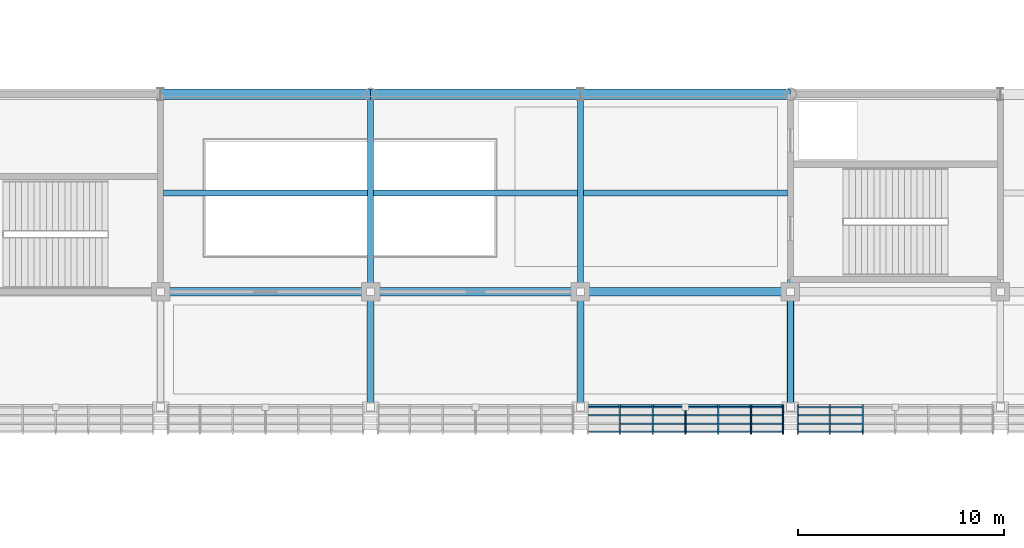
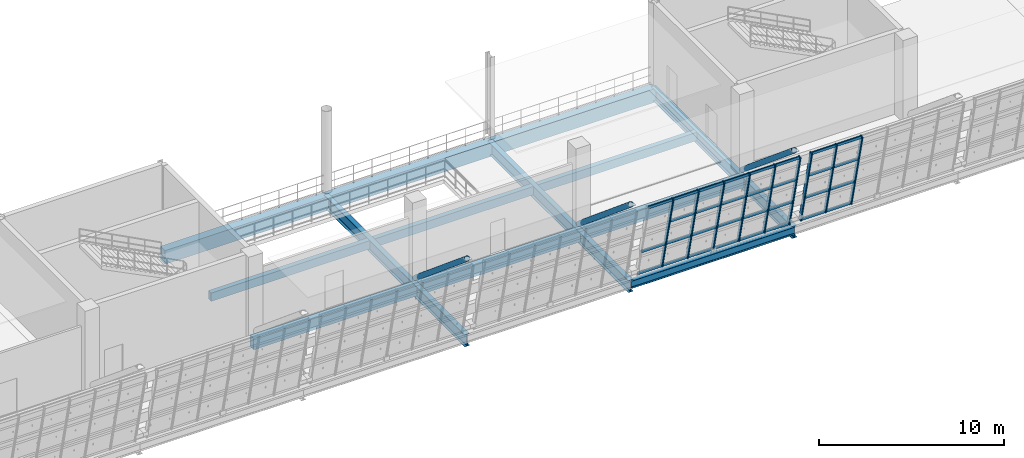
# One storey, part 31 of 175: 43 members, 13 beams, 2 elements without a shape of their own.
"""IFC4 building model written with IfcOpenShell, lengths in metres."""

from ifc_helpers import new_model, si_unit, direction, frame, origin, origin_2d, place, context, subcontext, project, spatial, rectangle, hollow_rectangle, hollow_circle, i_section, extrude, material, material_profile, profile_set, type_object, element, aggregate, save


model = new_model("IFC4")

# Units and contexts
model_context = context("Model", 3, precision=1e-05, world=origin(), true_north=direction((0.0, 1.0)))
body_context = subcontext(model_context, "Body", "Model", "MODEL_VIEW")
ifc_project = project(units=[si_unit("LENGTHUNIT", "METRE"), si_unit("AREAUNIT", "SQUARE_METRE"), si_unit("VOLUMEUNIT", "CUBIC_METRE"), si_unit("PLANEANGLEUNIT", "RADIAN"), si_unit("MASSUNIT", "GRAM", prefix="KILO")], contexts=[model_context])

# Site, building, storey
site_placement = place(None, origin())
site = spatial("IfcSite", under=ifc_project, at=site_placement, CompositionType="ELEMENT")
building_placement = place(site_placement, origin())
building = spatial("IfcBuilding", under=site, at=building_placement, Name="Brelvane Convention Centre", CompositionType="ELEMENT")
storey_placement = place(building_placement, frame((0.0, 0.0, 5.39990234375)))
storey = spatial("IfcBuildingStorey", under=building, at=storey_placement, Name="L01", CompositionType="ELEMENT", Elevation=5.39990234375)

# Curtain wall, members
ifc_material_1 = material(Name="Anodised Aluminium Alloy 6063-T6", Category="aluminium")
curtain_wall_type = type_object("IfcCurtainWallType", Name="Curtain Wall CW-HULL-S", PredefinedType="USERDEFINED", material=ifc_material_1)
curtain_wall_1_placement = place(storey_placement, origin())
curtain_wall_1 = element("IfcCurtainWall", 1, at=curtain_wall_1_placement, inside=storey, type_object=curtain_wall_type, Name="Curtain Wall CW-HULL-S L01-HULL-S-L01-12", ObjectType="UNITISED", PredefinedType="USERDEFINED")
ifc_material_2 = material(Name="Anodised Aluminium Alloy 6063-T6", Category="aluminium")
ifc_material_profile_1 = material_profile(ifc_material_2, hollow_rectangle(XDim=0.080078125, YDim=0.239990234375, WallThickness=0.006103515625, InnerFilletRadius=0.006103515625, OuterFilletRadius=0.011962890625, at=origin_2d()), Name="ALU-M 240x80x6.0")
ifc_profile_set_1 = profile_set([ifc_material_profile_1], Name="Anodised Aluminium Alloy 6063-T6")
member_type_1 = type_object("IfcMemberType", Name="Curtain Mullion CW-M1", PredefinedType="MULLION", material=ifc_profile_set_1)
member_1_placement = place(storey_placement, frame((114.11328125, 13.60009765625, 0.0), z_axis=(0.0, -0.228360162456, 0.973576723326), x_axis=(1.0, 0.0, 0.0)))
member_1 = element("IfcMember", 2, at=member_1_placement, type_object=member_type_1, Name="CW-HULL-S mullion 2", PredefinedType="MULLION", context=body_context, shape_type="SweptSolid", body=[
    extrude(hollow_rectangle(XDim=0.080078125, YDim=0.239990234375, WallThickness=0.006103515625, InnerFilletRadius=0.006103515625, OuterFilletRadius=0.011962890625, at=origin_2d()), origin(), (0.0, 0.0, 1.0), 5.2900390625),
])
member_2_placement = place(storey_placement, frame((115.706787109375, 13.60009765625, 0.0), z_axis=(0.0, -0.228360162456, 0.973576723326), x_axis=(1.0, 0.0, 0.0)))
member_2 = element("IfcMember", 3, at=member_2_placement, type_object=member_type_1, Name="CW-HULL-S mullion 3", PredefinedType="MULLION", context=body_context, shape_type="SweptSolid", body=[
    extrude(hollow_rectangle(XDim=0.080078125, YDim=0.239990234375, WallThickness=0.006103515625, InnerFilletRadius=0.006103515625, OuterFilletRadius=0.011962890625, at=origin_2d()), origin(), (0.0, 0.0, 1.0), 5.2900390625),
])
member_3_placement = place(storey_placement, frame((117.300048828125, 13.60009765625, 0.0), z_axis=(0.0, -0.228360162456, 0.973576723326), x_axis=(1.0, 0.0, 0.0)))
member_3 = element("IfcMember", 4, at=member_3_placement, type_object=member_type_1, Name="CW-HULL-S mullion 4", PredefinedType="MULLION", context=body_context, shape_type="SweptSolid", body=[
    extrude(hollow_rectangle(XDim=0.080078125, YDim=0.239990234375, WallThickness=0.006103515625, InnerFilletRadius=0.006103515625, OuterFilletRadius=0.011962890625, at=origin_2d()), origin(), (0.0, 0.0, 1.0), 5.2900390625),
])
member_4_placement = place(storey_placement, frame((118.893310546875, 13.60009765625, 0.0), z_axis=(0.0, -0.228360162456, 0.973576723326), x_axis=(1.0, 0.0, 0.0)))
member_4 = element("IfcMember", 5, at=member_4_placement, type_object=member_type_1, Name="CW-HULL-S mullion 5", PredefinedType="MULLION", context=body_context, shape_type="SweptSolid", body=[
    extrude(hollow_rectangle(XDim=0.080078125, YDim=0.239990234375, WallThickness=0.006103515625, InnerFilletRadius=0.006103515625, OuterFilletRadius=0.011962890625, at=origin_2d()), origin(), (0.0, 0.0, 1.0), 5.2900390625),
])
member_5_placement = place(storey_placement, frame((120.486572265625, 13.60009765625, 0.0), z_axis=(0.0, -0.228360162456, 0.973576723326), x_axis=(1.0, 0.0, 0.0)))
member_5 = element("IfcMember", 6, at=member_5_placement, type_object=member_type_1, Name="CW-HULL-S mullion 6", PredefinedType="MULLION", context=body_context, shape_type="SweptSolid", body=[
    extrude(hollow_rectangle(XDim=0.080078125, YDim=0.239990234375, WallThickness=0.006103515625, InnerFilletRadius=0.006103515625, OuterFilletRadius=0.011962890625, at=origin_2d()), origin(), (0.0, 0.0, 1.0), 5.2900390625),
])
member_6_placement = place(storey_placement, frame((122.0400390625, 13.60009765625, 0.0), z_axis=(0.0, -0.228360162456, 0.973576723326), x_axis=(1.0, 0.0, 0.0)))
member_6 = element("IfcMember", 7, at=member_6_placement, type_object=member_type_1, Name="CW-HULL-S mullion 7", PredefinedType="MULLION", context=body_context, shape_type="SweptSolid", body=[
    extrude(hollow_rectangle(XDim=0.080078125, YDim=0.239990234375, WallThickness=0.006103515625, InnerFilletRadius=0.006103515625, OuterFilletRadius=0.011962890625, at=origin_2d()), origin(), (0.0, 0.0, 1.0), 5.2900390625),
])

curtain_wall_2_placement = place(storey_placement, origin())
curtain_wall_2 = element("IfcCurtainWall", 8, at=curtain_wall_2_placement, inside=storey, type_object=curtain_wall_type, Name="Curtain Wall CW-HULL-S L01-HULL-S-L01-13", ObjectType="UNITISED", PredefinedType="USERDEFINED")
member_7_placement = place(storey_placement, frame((122.760009765625, 13.60009765625, 0.0), z_axis=(0.0, -0.228360162456, 0.973576723326), x_axis=(1.0, 0.0, 0.0)))
member_7 = element("IfcMember", 9, at=member_7_placement, type_object=member_type_1, Name="CW-HULL-S mullion 1", PredefinedType="MULLION", context=body_context, shape_type="SweptSolid", body=[
    extrude(hollow_rectangle(XDim=0.080078125, YDim=0.239990234375, WallThickness=0.006103515625, InnerFilletRadius=0.006103515625, OuterFilletRadius=0.011962890625, at=origin_2d()), origin(), (0.0, 0.0, 1.0), 5.2900390625),
])
member_8_placement = place(storey_placement, frame((124.313232421875, 13.60009765625, 0.0), z_axis=(0.0, -0.228360162456, 0.973576723326), x_axis=(1.0, 0.0, 0.0)))
member_8 = element("IfcMember", 10, at=member_8_placement, type_object=member_type_1, Name="CW-HULL-S mullion 2", PredefinedType="MULLION", context=body_context, shape_type="SweptSolid", body=[
    extrude(hollow_rectangle(XDim=0.080078125, YDim=0.239990234375, WallThickness=0.006103515625, InnerFilletRadius=0.006103515625, OuterFilletRadius=0.011962890625, at=origin_2d()), origin(), (0.0, 0.0, 1.0), 5.2900390625),
])
member_9_placement = place(storey_placement, frame((125.90673828125, 13.60009765625, 0.0), z_axis=(0.0, -0.228360162456, 0.973576723326), x_axis=(1.0, 0.0, 0.0)))
member_9 = element("IfcMember", 11, at=member_9_placement, type_object=member_type_1, Name="CW-HULL-S mullion 3", PredefinedType="MULLION", context=body_context, shape_type="SweptSolid", body=[
    extrude(hollow_rectangle(XDim=0.080078125, YDim=0.239990234375, WallThickness=0.006103515625, InnerFilletRadius=0.006103515625, OuterFilletRadius=0.011962890625, at=origin_2d()), origin(), (0.0, 0.0, 1.0), 5.2900390625),
])

# Member
ifc_material_3 = material(Name="Anodised Aluminium Alloy 6063-T6", Category="aluminium")
ifc_material_profile_2 = material_profile(ifc_material_3, hollow_rectangle(XDim=0.080078125, YDim=0.179931640625, WallThickness=0.0048828125, InnerFilletRadius=0.0048828125, OuterFilletRadius=0.010009765625, at=origin_2d()), Name="ALU-T 180x80x5.0")
ifc_profile_set_2 = profile_set([ifc_material_profile_2], Name="Anodised Aluminium Alloy 6063-T6")
member_type_2 = type_object("IfcMemberType", Name="Curtain Transom CW-T1", PredefinedType="USERDEFINED", material=ifc_profile_set_2)
member_10_placement = place(storey_placement, frame((112.60009765625, 13.590576171875, 0.0400390625), z_axis=(1.0, 0.0, 0.0), x_axis=(0.0, 1.0, 0.0)))
member_10 = element("IfcMember", 12, at=member_10_placement, type_object=member_type_2, Name="CW-HULL-S transom 1.1", ObjectType="TRANSOM", PredefinedType="USERDEFINED", context=body_context, shape_type="SweptSolid", body=[
    extrude(hollow_rectangle(XDim=0.080078125, YDim=0.179931640625, WallThickness=0.0048828125, InnerFilletRadius=0.0048828125, OuterFilletRadius=0.010009765625, at=origin_2d()), origin(), (0.0, 0.0, 1.0), 1.47314453125),
])

member_11_placement = place(storey_placement, frame((112.60009765625, 13.197265625, 1.716796875), z_axis=(1.0, 0.0, 0.0), x_axis=(0.0, 1.0, 0.0)))
member_11 = element("IfcMember", 13, at=member_11_placement, type_object=member_type_2, Name="CW-HULL-S transom 1.2", ObjectType="TRANSOM", PredefinedType="USERDEFINED", context=body_context, shape_type="SweptSolid", body=[
    extrude(hollow_rectangle(XDim=0.080078125, YDim=0.179931640625, WallThickness=0.0048828125, InnerFilletRadius=0.0048828125, OuterFilletRadius=0.010009765625, at=origin_2d()), origin(), (0.0, 0.0, 1.0), 1.47314453125),
])

member_12_placement = place(storey_placement, frame((112.60009765625, 12.4013671875, 5.110107421875), z_axis=(1.0, 0.0, 0.0), x_axis=(0.0, 1.0, 0.0)))
member_12 = element("IfcMember", 14, at=member_12_placement, type_object=member_type_2, Name="CW-HULL-S transom 1.4", ObjectType="TRANSOM", PredefinedType="USERDEFINED", context=body_context, shape_type="SweptSolid", body=[
    extrude(hollow_rectangle(XDim=0.080078125, YDim=0.179931640625, WallThickness=0.0048828125, InnerFilletRadius=0.0048828125, OuterFilletRadius=0.010009765625, at=origin_2d()), origin(), (0.0, 0.0, 1.0), 1.47314453125),
])

member_13_placement = place(storey_placement, frame((114.1533203125, 13.590576171875, 0.0400390625), z_axis=(1.0, 0.0, 0.0), x_axis=(0.0, 1.0, 0.0)))
member_13 = element("IfcMember", 15, at=member_13_placement, type_object=member_type_2, Name="CW-HULL-S transom 2.1", ObjectType="TRANSOM", PredefinedType="USERDEFINED", context=body_context, shape_type="SweptSolid", body=[
    extrude(hollow_rectangle(XDim=0.080078125, YDim=0.179931640625, WallThickness=0.0048828125, InnerFilletRadius=0.0048828125, OuterFilletRadius=0.010009765625, at=origin_2d()), origin(), (0.0, 0.0, 1.0), 1.513427734375),
])

member_14_placement = place(storey_placement, frame((114.1533203125, 13.197265625, 1.716796875), z_axis=(1.0, 0.0, 0.0), x_axis=(0.0, 1.0, 0.0)))
member_14 = element("IfcMember", 16, at=member_14_placement, type_object=member_type_2, Name="CW-HULL-S transom 2.2", ObjectType="TRANSOM", PredefinedType="USERDEFINED", context=body_context, shape_type="SweptSolid", body=[
    extrude(hollow_rectangle(XDim=0.080078125, YDim=0.179931640625, WallThickness=0.0048828125, InnerFilletRadius=0.0048828125, OuterFilletRadius=0.010009765625, at=origin_2d()), origin(), (0.0, 0.0, 1.0), 1.513427734375),
])

member_15_placement = place(storey_placement, frame((114.1533203125, 12.794677734375, 3.433349609375), z_axis=(1.0, 0.0, 0.0), x_axis=(0.0, 1.0, 0.0)))
member_15 = element("IfcMember", 17, at=member_15_placement, type_object=member_type_2, Name="CW-HULL-S transom 2.3", ObjectType="TRANSOM", PredefinedType="USERDEFINED", context=body_context, shape_type="SweptSolid", body=[
    extrude(hollow_rectangle(XDim=0.080078125, YDim=0.179931640625, WallThickness=0.0048828125, InnerFilletRadius=0.0048828125, OuterFilletRadius=0.010009765625, at=origin_2d()), origin(), (0.0, 0.0, 1.0), 1.513427734375),
])

member_16_placement = place(storey_placement, frame((114.1533203125, 12.4013671875, 5.110107421875), z_axis=(1.0, 0.0, 0.0), x_axis=(0.0, 1.0, 0.0)))
member_16 = element("IfcMember", 18, at=member_16_placement, type_object=member_type_2, Name="CW-HULL-S transom 2.4", ObjectType="TRANSOM", PredefinedType="USERDEFINED", context=body_context, shape_type="SweptSolid", body=[
    extrude(hollow_rectangle(XDim=0.080078125, YDim=0.179931640625, WallThickness=0.0048828125, InnerFilletRadius=0.0048828125, OuterFilletRadius=0.010009765625, at=origin_2d()), origin(), (0.0, 0.0, 1.0), 1.513427734375),
])

member_17_placement = place(storey_placement, frame((115.74658203125, 13.590576171875, 0.0400390625), z_axis=(1.0, 0.0, 0.0), x_axis=(0.0, 1.0, 0.0)))
member_17 = element("IfcMember", 19, at=member_17_placement, type_object=member_type_2, Name="CW-HULL-S transom 3.1", ObjectType="TRANSOM", PredefinedType="USERDEFINED", context=body_context, shape_type="SweptSolid", body=[
    extrude(hollow_rectangle(XDim=0.080078125, YDim=0.179931640625, WallThickness=0.0048828125, InnerFilletRadius=0.0048828125, OuterFilletRadius=0.010009765625, at=origin_2d()), origin(), (0.0, 0.0, 1.0), 1.513427734375),
])

member_18_placement = place(storey_placement, frame((115.74658203125, 13.197265625, 1.716796875), z_axis=(1.0, 0.0, 0.0), x_axis=(0.0, 1.0, 0.0)))
member_18 = element("IfcMember", 20, at=member_18_placement, type_object=member_type_2, Name="CW-HULL-S transom 3.2", ObjectType="TRANSOM", PredefinedType="USERDEFINED", context=body_context, shape_type="SweptSolid", body=[
    extrude(hollow_rectangle(XDim=0.080078125, YDim=0.179931640625, WallThickness=0.0048828125, InnerFilletRadius=0.0048828125, OuterFilletRadius=0.010009765625, at=origin_2d()), origin(), (0.0, 0.0, 1.0), 1.513427734375),
])

member_19_placement = place(storey_placement, frame((115.74658203125, 12.794677734375, 3.433349609375), z_axis=(1.0, 0.0, 0.0), x_axis=(0.0, 1.0, 0.0)))
member_19 = element("IfcMember", 21, at=member_19_placement, type_object=member_type_2, Name="CW-HULL-S transom 3.3", ObjectType="TRANSOM", PredefinedType="USERDEFINED", context=body_context, shape_type="SweptSolid", body=[
    extrude(hollow_rectangle(XDim=0.080078125, YDim=0.179931640625, WallThickness=0.0048828125, InnerFilletRadius=0.0048828125, OuterFilletRadius=0.010009765625, at=origin_2d()), origin(), (0.0, 0.0, 1.0), 1.513427734375),
])

member_20_placement = place(storey_placement, frame((115.74658203125, 12.4013671875, 5.110107421875), z_axis=(1.0, 0.0, 0.0), x_axis=(0.0, 1.0, 0.0)))
member_20 = element("IfcMember", 22, at=member_20_placement, type_object=member_type_2, Name="CW-HULL-S transom 3.4", ObjectType="TRANSOM", PredefinedType="USERDEFINED", context=body_context, shape_type="SweptSolid", body=[
    extrude(hollow_rectangle(XDim=0.080078125, YDim=0.179931640625, WallThickness=0.0048828125, InnerFilletRadius=0.0048828125, OuterFilletRadius=0.010009765625, at=origin_2d()), origin(), (0.0, 0.0, 1.0), 1.513427734375),
])

member_21_placement = place(storey_placement, frame((117.340087890625, 13.590576171875, 0.0400390625), z_axis=(1.0, 0.0, 0.0), x_axis=(0.0, 1.0, 0.0)))
member_21 = element("IfcMember", 23, at=member_21_placement, type_object=member_type_2, Name="CW-HULL-S transom 4.1", ObjectType="TRANSOM", PredefinedType="USERDEFINED", context=body_context, shape_type="SweptSolid", body=[
    extrude(hollow_rectangle(XDim=0.080078125, YDim=0.179931640625, WallThickness=0.0048828125, InnerFilletRadius=0.0048828125, OuterFilletRadius=0.010009765625, at=origin_2d()), origin(), (0.0, 0.0, 1.0), 1.51318359375),
])

member_22_placement = place(storey_placement, frame((117.340087890625, 13.197265625, 1.716796875), z_axis=(1.0, 0.0, 0.0), x_axis=(0.0, 1.0, 0.0)))
member_22 = element("IfcMember", 24, at=member_22_placement, type_object=member_type_2, Name="CW-HULL-S transom 4.2", ObjectType="TRANSOM", PredefinedType="USERDEFINED", context=body_context, shape_type="SweptSolid", body=[
    extrude(hollow_rectangle(XDim=0.080078125, YDim=0.179931640625, WallThickness=0.0048828125, InnerFilletRadius=0.0048828125, OuterFilletRadius=0.010009765625, at=origin_2d()), origin(), (0.0, 0.0, 1.0), 1.51318359375),
])

member_23_placement = place(storey_placement, frame((117.340087890625, 12.794677734375, 3.433349609375), z_axis=(1.0, 0.0, 0.0), x_axis=(0.0, 1.0, 0.0)))
member_23 = element("IfcMember", 25, at=member_23_placement, type_object=member_type_2, Name="CW-HULL-S transom 4.3", ObjectType="TRANSOM", PredefinedType="USERDEFINED", context=body_context, shape_type="SweptSolid", body=[
    extrude(hollow_rectangle(XDim=0.080078125, YDim=0.179931640625, WallThickness=0.0048828125, InnerFilletRadius=0.0048828125, OuterFilletRadius=0.010009765625, at=origin_2d()), origin(), (0.0, 0.0, 1.0), 1.51318359375),
])

member_24_placement = place(storey_placement, frame((117.340087890625, 12.4013671875, 5.110107421875), z_axis=(1.0, 0.0, 0.0), x_axis=(0.0, 1.0, 0.0)))
member_24 = element("IfcMember", 26, at=member_24_placement, type_object=member_type_2, Name="CW-HULL-S transom 4.4", ObjectType="TRANSOM", PredefinedType="USERDEFINED", context=body_context, shape_type="SweptSolid", body=[
    extrude(hollow_rectangle(XDim=0.080078125, YDim=0.179931640625, WallThickness=0.0048828125, InnerFilletRadius=0.0048828125, OuterFilletRadius=0.010009765625, at=origin_2d()), origin(), (0.0, 0.0, 1.0), 1.51318359375),
])

member_25_placement = place(storey_placement, frame((118.933349609375, 13.590576171875, 0.0400390625), z_axis=(1.0, 0.0, 0.0), x_axis=(0.0, 1.0, 0.0)))
member_25 = element("IfcMember", 27, at=member_25_placement, type_object=member_type_2, Name="CW-HULL-S transom 5.1", ObjectType="TRANSOM", PredefinedType="USERDEFINED", context=body_context, shape_type="SweptSolid", body=[
    extrude(hollow_rectangle(XDim=0.080078125, YDim=0.179931640625, WallThickness=0.0048828125, InnerFilletRadius=0.0048828125, OuterFilletRadius=0.010009765625, at=origin_2d()), origin(), (0.0, 0.0, 1.0), 1.513427734375),
])

member_26_placement = place(storey_placement, frame((118.933349609375, 13.197265625, 1.716796875), z_axis=(1.0, 0.0, 0.0), x_axis=(0.0, 1.0, 0.0)))
member_26 = element("IfcMember", 28, at=member_26_placement, type_object=member_type_2, Name="CW-HULL-S transom 5.2", ObjectType="TRANSOM", PredefinedType="USERDEFINED", context=body_context, shape_type="SweptSolid", body=[
    extrude(hollow_rectangle(XDim=0.080078125, YDim=0.179931640625, WallThickness=0.0048828125, InnerFilletRadius=0.0048828125, OuterFilletRadius=0.010009765625, at=origin_2d()), origin(), (0.0, 0.0, 1.0), 1.513427734375),
])

member_27_placement = place(storey_placement, frame((118.933349609375, 12.794677734375, 3.433349609375), z_axis=(1.0, 0.0, 0.0), x_axis=(0.0, 1.0, 0.0)))
member_27 = element("IfcMember", 29, at=member_27_placement, type_object=member_type_2, Name="CW-HULL-S transom 5.3", ObjectType="TRANSOM", PredefinedType="USERDEFINED", context=body_context, shape_type="SweptSolid", body=[
    extrude(hollow_rectangle(XDim=0.080078125, YDim=0.179931640625, WallThickness=0.0048828125, InnerFilletRadius=0.0048828125, OuterFilletRadius=0.010009765625, at=origin_2d()), origin(), (0.0, 0.0, 1.0), 1.513427734375),
])

member_28_placement = place(storey_placement, frame((118.933349609375, 12.4013671875, 5.110107421875), z_axis=(1.0, 0.0, 0.0), x_axis=(0.0, 1.0, 0.0)))
member_28 = element("IfcMember", 30, at=member_28_placement, type_object=member_type_2, Name="CW-HULL-S transom 5.4", ObjectType="TRANSOM", PredefinedType="USERDEFINED", context=body_context, shape_type="SweptSolid", body=[
    extrude(hollow_rectangle(XDim=0.080078125, YDim=0.179931640625, WallThickness=0.0048828125, InnerFilletRadius=0.0048828125, OuterFilletRadius=0.010009765625, at=origin_2d()), origin(), (0.0, 0.0, 1.0), 1.513427734375),
])

member_29_placement = place(storey_placement, frame((120.526611328125, 13.590576171875, 0.0400390625), z_axis=(1.0, 0.0, 0.0), x_axis=(0.0, 1.0, 0.0)))
member_29 = element("IfcMember", 31, at=member_29_placement, type_object=member_type_2, Name="CW-HULL-S transom 6.1", ObjectType="TRANSOM", PredefinedType="USERDEFINED", context=body_context, shape_type="SweptSolid", body=[
    extrude(hollow_rectangle(XDim=0.080078125, YDim=0.179931640625, WallThickness=0.0048828125, InnerFilletRadius=0.0048828125, OuterFilletRadius=0.010009765625, at=origin_2d()), origin(), (0.0, 0.0, 1.0), 1.473388671875),
])

member_30_placement = place(storey_placement, frame((120.526611328125, 13.197265625, 1.716796875), z_axis=(1.0, 0.0, 0.0), x_axis=(0.0, 1.0, 0.0)))
member_30 = element("IfcMember", 32, at=member_30_placement, type_object=member_type_2, Name="CW-HULL-S transom 6.2", ObjectType="TRANSOM", PredefinedType="USERDEFINED", context=body_context, shape_type="SweptSolid", body=[
    extrude(hollow_rectangle(XDim=0.080078125, YDim=0.179931640625, WallThickness=0.0048828125, InnerFilletRadius=0.0048828125, OuterFilletRadius=0.010009765625, at=origin_2d()), origin(), (0.0, 0.0, 1.0), 1.473388671875),
])

member_31_placement = place(storey_placement, frame((120.526611328125, 12.794677734375, 3.433349609375), z_axis=(1.0, 0.0, 0.0), x_axis=(0.0, 1.0, 0.0)))
member_31 = element("IfcMember", 33, at=member_31_placement, type_object=member_type_2, Name="CW-HULL-S transom 6.3", ObjectType="TRANSOM", PredefinedType="USERDEFINED", context=body_context, shape_type="SweptSolid", body=[
    extrude(hollow_rectangle(XDim=0.080078125, YDim=0.179931640625, WallThickness=0.0048828125, InnerFilletRadius=0.0048828125, OuterFilletRadius=0.010009765625, at=origin_2d()), origin(), (0.0, 0.0, 1.0), 1.473388671875),
])

member_32_placement = place(storey_placement, frame((120.526611328125, 12.4013671875, 5.110107421875), z_axis=(1.0, 0.0, 0.0), x_axis=(0.0, 1.0, 0.0)))
member_32 = element("IfcMember", 34, at=member_32_placement, type_object=member_type_2, Name="CW-HULL-S transom 6.4", ObjectType="TRANSOM", PredefinedType="USERDEFINED", context=body_context, shape_type="SweptSolid", body=[
    extrude(hollow_rectangle(XDim=0.080078125, YDim=0.179931640625, WallThickness=0.0048828125, InnerFilletRadius=0.0048828125, OuterFilletRadius=0.010009765625, at=origin_2d()), origin(), (0.0, 0.0, 1.0), 1.473388671875),
])

aggregate(curtain_wall_1, [member_1, member_2, member_3, member_4, member_5, member_6, member_10, member_11, member_12, member_13, member_14, member_15, member_16, member_17, member_18, member_19, member_20, member_21, member_22, member_23, member_24, member_25, member_26, member_27, member_28, member_29, member_30, member_31, member_32])

member_33_placement = place(storey_placement, frame((122.800048828125, 13.590576171875, 0.0400390625), z_axis=(1.0, 0.0, 0.0), x_axis=(0.0, 1.0, 0.0)))
member_33 = element("IfcMember", 35, at=member_33_placement, type_object=member_type_2, Name="CW-HULL-S transom 1.1", ObjectType="TRANSOM", PredefinedType="USERDEFINED", context=body_context, shape_type="SweptSolid", body=[
    extrude(hollow_rectangle(XDim=0.080078125, YDim=0.179931640625, WallThickness=0.0048828125, InnerFilletRadius=0.0048828125, OuterFilletRadius=0.010009765625, at=origin_2d()), origin(), (0.0, 0.0, 1.0), 1.473388671875),
])

member_34_placement = place(storey_placement, frame((122.800048828125, 13.197265625, 1.716796875), z_axis=(1.0, 0.0, 0.0), x_axis=(0.0, 1.0, 0.0)))
member_34 = element("IfcMember", 36, at=member_34_placement, type_object=member_type_2, Name="CW-HULL-S transom 1.2", ObjectType="TRANSOM", PredefinedType="USERDEFINED", context=body_context, shape_type="SweptSolid", body=[
    extrude(hollow_rectangle(XDim=0.080078125, YDim=0.179931640625, WallThickness=0.0048828125, InnerFilletRadius=0.0048828125, OuterFilletRadius=0.010009765625, at=origin_2d()), origin(), (0.0, 0.0, 1.0), 1.473388671875),
])

member_35_placement = place(storey_placement, frame((122.800048828125, 12.794677734375, 3.433349609375), z_axis=(1.0, 0.0, 0.0), x_axis=(0.0, 1.0, 0.0)))
member_35 = element("IfcMember", 37, at=member_35_placement, type_object=member_type_2, Name="CW-HULL-S transom 1.3", ObjectType="TRANSOM", PredefinedType="USERDEFINED", context=body_context, shape_type="SweptSolid", body=[
    extrude(hollow_rectangle(XDim=0.080078125, YDim=0.179931640625, WallThickness=0.0048828125, InnerFilletRadius=0.0048828125, OuterFilletRadius=0.010009765625, at=origin_2d()), origin(), (0.0, 0.0, 1.0), 1.473388671875),
])

member_36_placement = place(storey_placement, frame((122.800048828125, 12.4013671875, 5.110107421875), z_axis=(1.0, 0.0, 0.0), x_axis=(0.0, 1.0, 0.0)))
member_36 = element("IfcMember", 38, at=member_36_placement, type_object=member_type_2, Name="CW-HULL-S transom 1.4", ObjectType="TRANSOM", PredefinedType="USERDEFINED", context=body_context, shape_type="SweptSolid", body=[
    extrude(hollow_rectangle(XDim=0.080078125, YDim=0.179931640625, WallThickness=0.0048828125, InnerFilletRadius=0.0048828125, OuterFilletRadius=0.010009765625, at=origin_2d()), origin(), (0.0, 0.0, 1.0), 1.473388671875),
])

member_37_placement = place(storey_placement, frame((124.353271484375, 13.590576171875, 0.0400390625), z_axis=(1.0, 0.0, 0.0), x_axis=(0.0, 1.0, 0.0)))
member_37 = element("IfcMember", 39, at=member_37_placement, type_object=member_type_2, Name="CW-HULL-S transom 2.1", ObjectType="TRANSOM", PredefinedType="USERDEFINED", context=body_context, shape_type="SweptSolid", body=[
    extrude(hollow_rectangle(XDim=0.080078125, YDim=0.179931640625, WallThickness=0.0048828125, InnerFilletRadius=0.0048828125, OuterFilletRadius=0.010009765625, at=origin_2d()), origin(), (0.0, 0.0, 1.0), 1.513427734375),
])

member_38_placement = place(storey_placement, frame((124.353271484375, 13.197265625, 1.716796875), z_axis=(1.0, 0.0, 0.0), x_axis=(0.0, 1.0, 0.0)))
member_38 = element("IfcMember", 40, at=member_38_placement, type_object=member_type_2, Name="CW-HULL-S transom 2.2", ObjectType="TRANSOM", PredefinedType="USERDEFINED", context=body_context, shape_type="SweptSolid", body=[
    extrude(hollow_rectangle(XDim=0.080078125, YDim=0.179931640625, WallThickness=0.0048828125, InnerFilletRadius=0.0048828125, OuterFilletRadius=0.010009765625, at=origin_2d()), origin(), (0.0, 0.0, 1.0), 1.513427734375),
])

member_39_placement = place(storey_placement, frame((124.353271484375, 12.794677734375, 3.433349609375), z_axis=(1.0, 0.0, 0.0), x_axis=(0.0, 1.0, 0.0)))
member_39 = element("IfcMember", 41, at=member_39_placement, type_object=member_type_2, Name="CW-HULL-S transom 2.3", ObjectType="TRANSOM", PredefinedType="USERDEFINED", context=body_context, shape_type="SweptSolid", body=[
    extrude(hollow_rectangle(XDim=0.080078125, YDim=0.179931640625, WallThickness=0.0048828125, InnerFilletRadius=0.0048828125, OuterFilletRadius=0.010009765625, at=origin_2d()), origin(), (0.0, 0.0, 1.0), 1.513427734375),
])

member_40_placement = place(storey_placement, frame((124.353271484375, 12.4013671875, 5.110107421875), z_axis=(1.0, 0.0, 0.0), x_axis=(0.0, 1.0, 0.0)))
member_40 = element("IfcMember", 42, at=member_40_placement, type_object=member_type_2, Name="CW-HULL-S transom 2.4", ObjectType="TRANSOM", PredefinedType="USERDEFINED", context=body_context, shape_type="SweptSolid", body=[
    extrude(hollow_rectangle(XDim=0.080078125, YDim=0.179931640625, WallThickness=0.0048828125, InnerFilletRadius=0.0048828125, OuterFilletRadius=0.010009765625, at=origin_2d()), origin(), (0.0, 0.0, 1.0), 1.513427734375),
])

aggregate(curtain_wall_2, [member_7, member_8, member_9, member_33, member_34, member_35, member_36, member_37, member_38, member_39, member_40])

# Beams
ifc_material_4 = material(Name="Concrete M40", Category="concrete")
ifc_material_profile_3 = material_profile(ifc_material_4, rectangle(XDim=0.5, YDim=0.89990234375, at=origin_2d()), Name="RC 500x900")
ifc_profile_set_3 = profile_set([ifc_material_profile_3], Name="Concrete M40")
beam_type_1 = type_object("IfcBeamType", Name="RC Beam B-RC4 (RC 500x900)", PredefinedType="BEAM", material=ifc_profile_set_3)
for number, where, z_axis, x_axis, name in (
    (43, (91.800048828125, 28.800048828125, -0.7099609375), (1.0, 0.0, 0.0), (0.0, 1.0, 0.0), "L01 Beam 10-11/D"),
    (44, (102.0, 28.800048828125, -0.7099609375), (1.0, 0.0, 0.0), (0.0, 1.0, 0.0), "L01 Beam 11-12/D"),
    (45, (112.199951171875, 28.800048828125, -0.7099609375), (1.0, 0.0, 0.0), (0.0, 1.0, 0.0), "L01 Beam 12-13/D"),
):
    element("IfcBeam", number, at=place(storey_placement, frame(where, z_axis=z_axis, x_axis=x_axis)), inside=storey, type_object=beam_type_1, Name=name, PredefinedType="BEAM", context=body_context, shape_type="SweptSolid", body=[
        extrude(rectangle(XDim=0.5, YDim=0.89990234375, at=origin_2d()), origin(), (0.0, 0.0, 1.0), 10.199951171875),
    ])
ifc_material_5 = material(Name="Concrete M40", Category="concrete")
ifc_material_profile_4 = material_profile(ifc_material_5, rectangle(XDim=0.300048828125, YDim=0.550048828125, at=origin_2d()), Name="RC 300x550")
ifc_profile_set_4 = profile_set([ifc_material_profile_4], Name="Concrete M40")
beam_type_2 = type_object("IfcBeamType", Name="RC Joist J-RC1 (RC 300x550)", PredefinedType="JOIST", material=ifc_profile_set_4)
for number, where, z_axis, x_axis, name in (
    (46, (91.949951171875, 24.0, -0.534912109375), (1.0, 0.0, 0.0), (0.0, 1.0, 0.0), "L01 Secondary Joist 10-11/CD"),
    (47, (102.14990234375, 24.0, -0.534912109375), (1.0, 0.0, 0.0), (0.0, 1.0, 0.0), "L01 Secondary Joist 11-12/CD"),
):
    element("IfcBeam", number, at=place(storey_placement, frame(where, z_axis=z_axis, x_axis=x_axis)), inside=storey, type_object=beam_type_2, Name=name, PredefinedType="JOIST", context=body_context, shape_type="SweptSolid", body=[
        extrude(rectangle(XDim=0.300048828125, YDim=0.550048828125, at=origin_2d()), origin(), (0.0, 0.0, 1.0), 9.900146484375),
    ])
beam_1_placement = place(storey_placement, frame((112.35009765625, 24.0, -0.534912109375), z_axis=(1.0, 0.0, 0.0), x_axis=(0.0, 1.0, 0.0)))
element("IfcBeam", 48, at=beam_1_placement, inside=storey, type_object=beam_type_2, Name="L01 Secondary Joist 12-13/CD", PredefinedType="JOIST", context=body_context, shape_type="SweptSolid", body=[
    extrude(rectangle(XDim=0.300048828125, YDim=0.550048828125, at=origin_2d()), origin(), (0.0, 0.0, 1.0), 9.89990234375),
])
ifc_material_6 = material(Name="Concrete M40", Category="concrete")
ifc_material_profile_5 = material_profile(ifc_material_6, rectangle(XDim=0.39990234375, YDim=0.75, at=origin_2d()), Name="RC 400x750")
ifc_profile_set_5 = profile_set([ifc_material_profile_5], Name="Concrete M40")
beam_type_3 = type_object("IfcBeamType", Name="RC Spandrel SP-RC1 (RC 400x750)", PredefinedType="SPANDREL", material=ifc_profile_set_5)
for number, where, z_axis, x_axis, name in (
    (49, (91.800048828125, 19.199951171875, -0.635009765625), (1.0, 0.0, 0.0), (0.0, 1.0, 0.0), "L01 Beam 10-11/C"),
    (50, (102.0, 19.199951171875, -0.635009765625), (1.0, 0.0, 0.0), (0.0, 1.0, 0.0), "L01 Beam 11-12/C"),
    (51, (112.199951171875, 19.199951171875, -0.635009765625), (1.0, 0.0, 0.0), (0.0, 1.0, 0.0), "L01 Beam 12-13/C"),
):
    element("IfcBeam", number, at=place(storey_placement, frame(where, z_axis=z_axis, x_axis=x_axis)), inside=storey, type_object=beam_type_3, Name=name, PredefinedType="SPANDREL", context=body_context, shape_type="SweptSolid", body=[
        extrude(rectangle(XDim=0.39990234375, YDim=0.75, at=origin_2d()), origin(), (0.0, 0.0, 1.0), 10.199951171875),
    ])
ifc_material_7 = material(Name="Steel E450 (450 MPa)", Category="steel")
ifc_material_profile_6 = material_profile(ifc_material_7, i_section(OverallWidth=0.300048828125, OverallDepth=0.800048828125, WebThickness=0.015380859375, FlangeThickness=0.030029296875, FilletRadius=0.027099609375, at=origin_2d()), Name="NPB 800x300")
ifc_profile_set_6 = profile_set([ifc_material_profile_6], Name="Steel E450 (450 MPa)")
beam_type_4 = type_object("IfcBeamType", Name="Steel Beam B-ST2 (NPB 800x300)", PredefinedType="BEAM", material=ifc_profile_set_6)
for number, where, z_axis, x_axis, name in (
    (52, (102.0, 13.60009765625, -0.659912109375), (0.0, 1.0, 0.0), (-1.0, 0.0, 0.0), "L01 Hull Cantilever Girder 11"),
    (53, (112.199951171875, 13.60009765625, -0.659912109375), (0.0, 1.0, 0.0), (-1.0, 0.0, 0.0), "L01 Hull Cantilever Girder 12"),
    (54, (122.39990234375, 13.60009765625, -0.659912109375), (0.0, 1.0, 0.0), (-1.0, 0.0, 0.0), "L01 Hull Cantilever Girder 13"),
):
    element("IfcBeam", number, at=place(storey_placement, frame(where, z_axis=z_axis, x_axis=x_axis)), inside=storey, type_object=beam_type_4, Name=name, PredefinedType="BEAM", context=body_context, shape_type="SweptSolid", body=[
        extrude(i_section(OverallWidth=0.300048828125, OverallDepth=0.800048828125, WebThickness=0.015380859375, FlangeThickness=0.030029296875, FilletRadius=0.027099609375, at=origin_2d()), origin(), (0.0, 0.0, 1.0), 15.199951171875),
    ])
ifc_material_8 = material(Name="Steel E350 (350 MPa)", Category="steel")
ifc_material_profile_7 = material_profile(ifc_material_8, i_section(OverallWidth=0.25, OverallDepth=0.5, WebThickness=0.010009765625, FlangeThickness=0.0146484375, FilletRadius=0.01611328125, at=origin_2d()), Name="ISWB 500")
ifc_profile_set_7 = profile_set([ifc_material_profile_7], Name="Steel E350 (350 MPa)")
beam_type_5 = type_object("IfcBeamType", Name="Steel Spandrel SP-ST1 (ISWB 500)", PredefinedType="SPANDREL", material=ifc_profile_set_7)
beam_2_placement = place(storey_placement, frame((112.199951171875, 13.60009765625, -0.510009765625), z_axis=(1.0, 0.0, 0.0), x_axis=(0.0, 1.0, 0.0)))
element("IfcBeam", 55, at=beam_2_placement, inside=storey, type_object=beam_type_5, Name="L01 Hull Overhang Edge Spandrel 12", PredefinedType="SPANDREL", context=body_context, shape_type="SweptSolid", body=[
    extrude(i_section(OverallWidth=0.25, OverallDepth=0.5, WebThickness=0.010009765625, FlangeThickness=0.0146484375, FilletRadius=0.01611328125, at=origin_2d()), origin(), (0.0, 0.0, 1.0), 10.199951171875),
])

# Members
ifc_material_9 = material(Name="Steel E450 (450 MPa)", Category="steel")
ifc_material_profile_8 = material_profile(ifc_material_9, hollow_circle(Radius=0.161865234375, WallThickness=0.012451171875, at=origin_2d()), Name="CHS 323.9x12.5")
ifc_profile_set_8 = profile_set([ifc_material_profile_8], Name="Steel E450 (450 MPa)")
member_type_3 = type_object("IfcMemberType", Name="Steel Strut HS-ST2 (CHS 323.9x12.5)", PredefinedType="STRUT", material=ifc_profile_set_8)
for number, where, z_axis, x_axis, name in (
    (56, (102.0, 19.199951171875, 0.050048828125), (0.0, -0.767976969641, 0.640477457918), (1.0, 0.0, 0.0), "Hull Overhang Raked Strut L01 V1-11"),
    (57, (112.199951171875, 19.199951171875, 0.050048828125), (0.0, -0.767976969641, 0.640477457918), (1.0, 0.0, 0.0), "Hull Overhang Raked Strut L01 V1-12"),
    (58, (122.39990234375, 19.199951171875, 0.050048828125), (0.0, -0.767976969641, 0.640477457918), (1.0, 0.0, 0.0), "Hull Overhang Raked Strut L01 V1-13"),
):
    element("IfcMember", number, at=place(storey_placement, frame(where, z_axis=z_axis, x_axis=x_axis)), inside=storey, type_object=member_type_3, Name=name, PredefinedType="STRUT", context=body_context, shape_type="SweptSolid", body=[
        extrude(hollow_circle(Radius=0.161865234375, WallThickness=0.012451171875, at=origin_2d()), origin(), (0.0, 0.0, 1.0), 7.291748046875),
    ])

save(model, "model.ifc")
